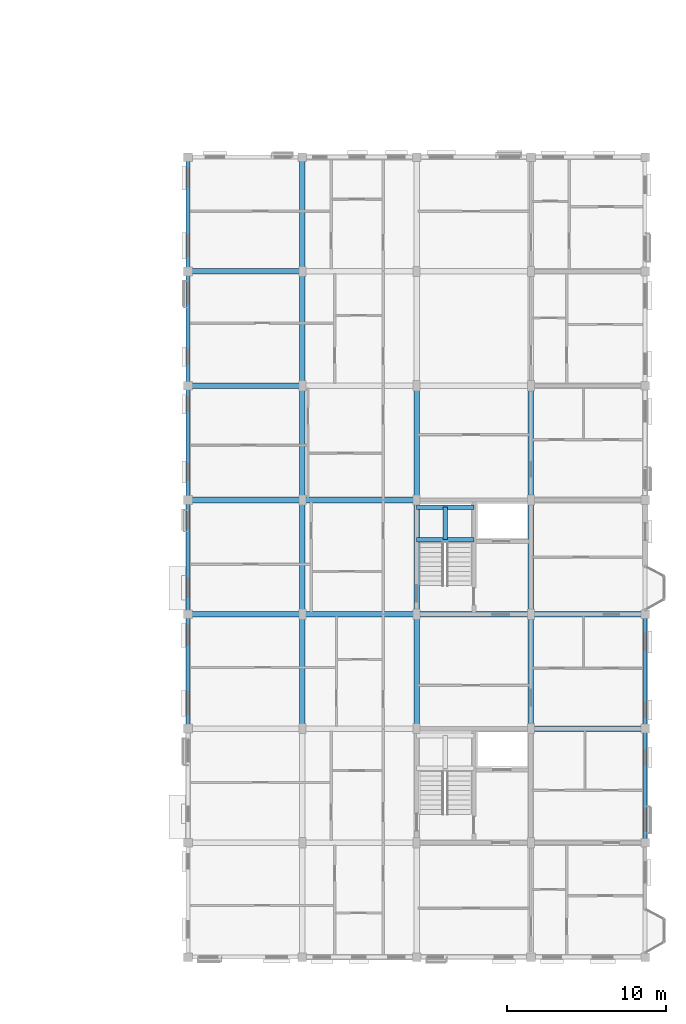
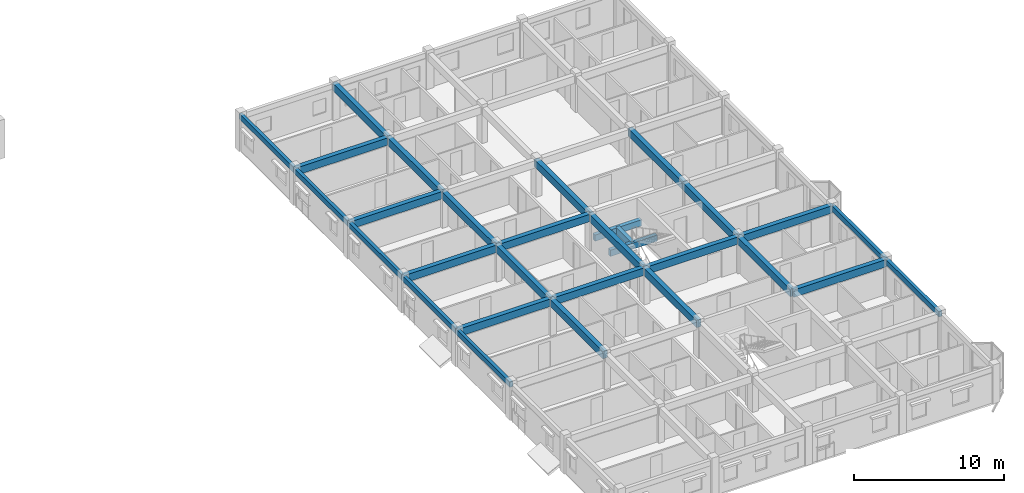
# One storey, part 24 of 75: 30 beams.
"""IFC4 building model written with IfcOpenShell, lengths in metres."""

from ifc_helpers import new_model, si_unit, direction, frame, origin, origin_2d, place, context, subcontext, project, spatial, rectangle, extrude, material, material_profile, profile_set, type_object, element, save


model = new_model("IFC4")

# Units and contexts
model_context = context("Model", 3, precision=1e-05, world=origin(), true_north=direction((0.0, 1.0)))
body_context = subcontext(model_context, "Body", "Model", "MODEL_VIEW")
ifc_project = project(units=[si_unit("LENGTHUNIT", "METRE"), si_unit("AREAUNIT", "SQUARE_METRE"), si_unit("VOLUMEUNIT", "CUBIC_METRE"), si_unit("PLANEANGLEUNIT", "RADIAN"), si_unit("MASSUNIT", "GRAM", prefix="KILO"), si_unit("THERMODYNAMICTEMPERATUREUNIT", "KELVIN"), si_unit("POWERUNIT", "WATT")], contexts=[model_context])

# Site, building, storey
site_placement = place(None, origin())
site = spatial("IfcSite", under=ifc_project, at=site_placement, CompositionType="ELEMENT")
building_placement = place(site_placement, origin())
building = spatial("IfcBuilding", under=site, at=building_placement, Name="Tavuni Mirador Residences", CompositionType="ELEMENT")
storey_placement = place(building_placement, frame((0.0, 0.0, 20.25)))
storey = spatial("IfcBuildingStorey", under=building, at=storey_placement, Name="L06", CompositionType="ELEMENT", Elevation=20.25)

# Beams
ifc_material = material(Name="Precast concrete C40/50", Category="concrete")
ifc_material_profile_1 = material_profile(ifc_material, rectangle(XDim=0.300048828125, YDim=0.5, at=origin_2d()), Name="PC 300x500", Category="concrete")
ifc_profile_set_1 = profile_set([ifc_material_profile_1], Name="Precast concrete C40/50")
beam_type_1 = type_object("IfcBeamType", Name="BT-B500", PredefinedType="BEAM", material=ifc_profile_set_1)
for number, where, z_axis, x_axis, name in (
    (1, (104.39990234375, 112.699951171875, 1.14501953125), (1.0, 0.0, 0.0), (0.0, 1.0, 0.0), "HLB1-C8-L06"),
    (2, (104.39990234375, 114.75, 1.14501953125), (1.0, 0.0, 0.0), (0.0, 1.0, 0.0), "HLB2-C8-L06"),
):
    element("IfcBeam", number, at=place(storey_placement, frame(where, z_axis=z_axis, x_axis=x_axis)), inside=storey, type_object=beam_type_1, Name=name, PredefinedType="BEAM", context=body_context, shape_type="SweptSolid", body=[
        extrude(rectangle(XDim=0.300048828125, YDim=0.5, at=origin_2d()), origin(), (0.0, 0.0, 1.0), 3.60009765625),
    ])
beam_1_placement = place(storey_placement, frame((106.199951171875, 112.699951171875, 1.14501953125), z_axis=(0.0, 1.0, 0.0), x_axis=(-1.0, 0.0, 0.0)))
element("IfcBeam", 3, at=beam_1_placement, inside=storey, type_object=beam_type_1, Name="HLB3-C8-L06", PredefinedType="BEAM", context=body_context, shape_type="SweptSolid", body=[
    extrude(rectangle(XDim=0.300048828125, YDim=0.5, at=origin_2d()), origin(), (0.0, 0.0, 1.0), 2.050048828125),
])
ifc_material_profile_2 = material_profile(ifc_material, rectangle(XDim=0.35009765625, YDim=0.60009765625, at=origin_2d()), Name="PC 350x600", Category="concrete")
ifc_profile_set_2 = profile_set([ifc_material_profile_2], Name="Precast concrete C40/50")
beam_type_2 = type_object("IfcBeamType", Name="BT-B600", PredefinedType="BEAM", material=ifc_profile_set_2)
for number, where, z_axis, x_axis, name in (
    (4, (111.60009765625, 100.800048828125, 2.590087890625), (1.0, 0.0, 0.0), (0.0, 1.0, 0.0), "BMX-BLK-D-L06-03-02"),
    (5, (90.0, 108.0, 2.590087890625), (1.0, 0.0, 0.0), (0.0, 1.0, 0.0), "BMX-BLK-D-L06-00-03"),
    (6, (97.199951171875, 108.0, 2.590087890625), (1.0, 0.0, 0.0), (0.0, 1.0, 0.0), "BMX-BLK-D-L06-01-03"),
):
    element("IfcBeam", number, at=place(storey_placement, frame(where, z_axis=z_axis, x_axis=x_axis)), inside=storey, type_object=beam_type_2, Name=name, PredefinedType="BEAM", context=body_context, shape_type="SweptSolid", body=[
        extrude(rectangle(XDim=0.35009765625, YDim=0.60009765625, at=origin_2d()), origin(), (0.0, 0.0, 1.0), 7.199951171875),
    ])
beam_2_placement = place(storey_placement, frame((104.39990234375, 108.0, 2.590087890625), z_axis=(1.0, 0.0, 0.0), x_axis=(0.0, 1.0, 0.0)))
element("IfcBeam", 7, at=beam_2_placement, inside=storey, type_object=beam_type_2, Name="BMX-BLK-D-L06-02-03", PredefinedType="BEAM", context=body_context, shape_type="SweptSolid", body=[
    extrude(rectangle(XDim=0.35009765625, YDim=0.60009765625, at=origin_2d()), origin(), (0.0, 0.0, 1.0), 7.2001953125),
])
for number, where, z_axis, x_axis, name in (
    (8, (111.60009765625, 108.0, 2.590087890625), (1.0, 0.0, 0.0), (0.0, 1.0, 0.0), "BMX-BLK-D-L06-03-03"),
    (9, (90.0, 115.199951171875, 2.590087890625), (1.0, 0.0, 0.0), (0.0, 1.0, 0.0), "BMX-BLK-D-L06-00-04"),
    (10, (97.199951171875, 115.199951171875, 2.590087890625), (1.0, 0.0, 0.0), (0.0, 1.0, 0.0), "BMX-BLK-D-L06-01-04"),
    (11, (90.0, 122.39990234375, 2.590087890625), (1.0, 0.0, 0.0), (0.0, 1.0, 0.0), "BMX-BLK-D-L06-00-05"),
    (12, (90.0, 129.60009765625, 2.590087890625), (1.0, 0.0, 0.0), (0.0, 1.0, 0.0), "BMX-BLK-D-L06-00-06"),
    (13, (97.199951171875, 100.800048828125, 2.590087890625), (0.0, 1.0, 0.0), (-1.0, 0.0, 0.0), "BMY-BLK-D-L06-01-02"),
    (14, (97.199951171875, 108.0, 2.590087890625), (0.0, 1.0, 0.0), (-1.0, 0.0, 0.0), "BMY-BLK-D-L06-01-03"),
    (15, (97.199951171875, 115.199951171875, 2.590087890625), (0.0, 1.0, 0.0), (-1.0, 0.0, 0.0), "BMY-BLK-D-L06-01-04"),
):
    element("IfcBeam", number, at=place(storey_placement, frame(where, z_axis=z_axis, x_axis=x_axis)), inside=storey, type_object=beam_type_2, Name=name, PredefinedType="BEAM", context=body_context, shape_type="SweptSolid", body=[
        extrude(rectangle(XDim=0.35009765625, YDim=0.60009765625, at=origin_2d()), origin(), (0.0, 0.0, 1.0), 7.199951171875),
    ])
beam_3_placement = place(storey_placement, frame((97.199951171875, 122.39990234375, 2.590087890625), z_axis=(0.0, 1.0, 0.0), x_axis=(-1.0, 0.0, 0.0)))
element("IfcBeam", 16, at=beam_3_placement, inside=storey, type_object=beam_type_2, Name="BMY-BLK-D-L06-01-05", PredefinedType="BEAM", context=body_context, shape_type="SweptSolid", body=[
    extrude(rectangle(XDim=0.35009765625, YDim=0.60009765625, at=origin_2d()), origin(), (0.0, 0.0, 1.0), 7.2001953125),
])
for number, where, z_axis, x_axis, name in (
    (17, (97.199951171875, 129.60009765625, 2.590087890625), (0.0, 1.0, 0.0), (-1.0, 0.0, 0.0), "BMY-BLK-D-L06-01-06"),
    (18, (104.39990234375, 100.800048828125, 2.590087890625), (0.0, 1.0, 0.0), (-1.0, 0.0, 0.0), "BMY-BLK-D-L06-02-02"),
    (19, (104.39990234375, 108.0, 2.590087890625), (0.0, 1.0, 0.0), (-1.0, 0.0, 0.0), "BMY-BLK-D-L06-02-03"),
    (20, (104.39990234375, 115.199951171875, 2.590087890625), (0.0, 1.0, 0.0), (-1.0, 0.0, 0.0), "BMY-BLK-D-L06-02-04"),
    (21, (111.60009765625, 100.800048828125, 2.590087890625), (0.0, 1.0, 0.0), (-1.0, 0.0, 0.0), "BMY-BLK-D-L06-03-02"),
    (22, (111.60009765625, 108.0, 2.590087890625), (0.0, 1.0, 0.0), (-1.0, 0.0, 0.0), "BMY-BLK-D-L06-03-03"),
    (23, (111.60009765625, 115.199951171875, 2.590087890625), (0.0, 1.0, 0.0), (-1.0, 0.0, 0.0), "BMY-BLK-D-L06-03-04"),
):
    element("IfcBeam", number, at=place(storey_placement, frame(where, z_axis=z_axis, x_axis=x_axis)), inside=storey, type_object=beam_type_2, Name=name, PredefinedType="BEAM", context=body_context, shape_type="SweptSolid", body=[
        extrude(rectangle(XDim=0.35009765625, YDim=0.60009765625, at=origin_2d()), origin(), (0.0, 0.0, 1.0), 7.199951171875),
    ])
ifc_material_profile_3 = material_profile(ifc_material, rectangle(XDim=0.25, YDim=0.419921875, at=origin_2d()), Name="PC 250x420", Category="concrete")
ifc_profile_set_3 = profile_set([ifc_material_profile_3], Name="Precast concrete C40/50")
beam_type_3 = type_object("IfcBeamType", Name="BT-SP420", PredefinedType="SPANDREL", material=ifc_profile_set_3)
for number, where, z_axis, x_axis, name in (
    (24, (90.0, 100.800048828125, 2.679931640625), (0.0, 1.0, 0.0), (-1.0, 0.0, 0.0), "BMY-BLK-D-L06-00-02"),
    (25, (90.0, 108.0, 2.679931640625), (0.0, 1.0, 0.0), (-1.0, 0.0, 0.0), "BMY-BLK-D-L06-00-03"),
    (26, (90.0, 115.199951171875, 2.679931640625), (0.0, 1.0, 0.0), (-1.0, 0.0, 0.0), "BMY-BLK-D-L06-00-04"),
):
    element("IfcBeam", number, at=place(storey_placement, frame(where, z_axis=z_axis, x_axis=x_axis)), inside=storey, type_object=beam_type_3, Name=name, PredefinedType="SPANDREL", context=body_context, shape_type="SweptSolid", body=[
        extrude(rectangle(XDim=0.25, YDim=0.419921875, at=origin_2d()), origin(), (0.0, 0.0, 1.0), 7.199951171875),
    ])
beam_4_placement = place(storey_placement, frame((90.0, 122.39990234375, 2.679931640625), z_axis=(0.0, 1.0, 0.0), x_axis=(-1.0, 0.0, 0.0)))
element("IfcBeam", 27, at=beam_4_placement, inside=storey, type_object=beam_type_3, Name="BMY-BLK-D-L06-00-05", PredefinedType="SPANDREL", context=body_context, shape_type="SweptSolid", body=[
    extrude(rectangle(XDim=0.25, YDim=0.419921875, at=origin_2d()), origin(), (0.0, 0.0, 1.0), 7.2001953125),
])
for number, where, z_axis, x_axis, name in (
    (28, (90.0, 129.60009765625, 2.679931640625), (0.0, 1.0, 0.0), (-1.0, 0.0, 0.0), "BMY-BLK-D-L06-00-06"),
    (29, (118.800048828125, 93.60009765625, 2.679931640625), (0.0, 1.0, 0.0), (-1.0, 0.0, 0.0), "BMY-BLK-D-L06-04-01"),
    (30, (118.800048828125, 100.800048828125, 2.679931640625), (0.0, 1.0, 0.0), (-1.0, 0.0, 0.0), "BMY-BLK-D-L06-04-02"),
):
    element("IfcBeam", number, at=place(storey_placement, frame(where, z_axis=z_axis, x_axis=x_axis)), inside=storey, type_object=beam_type_3, Name=name, PredefinedType="SPANDREL", context=body_context, shape_type="SweptSolid", body=[
        extrude(rectangle(XDim=0.25, YDim=0.419921875, at=origin_2d()), origin(), (0.0, 0.0, 1.0), 7.199951171875),
    ])

save(model, "model.ifc")
